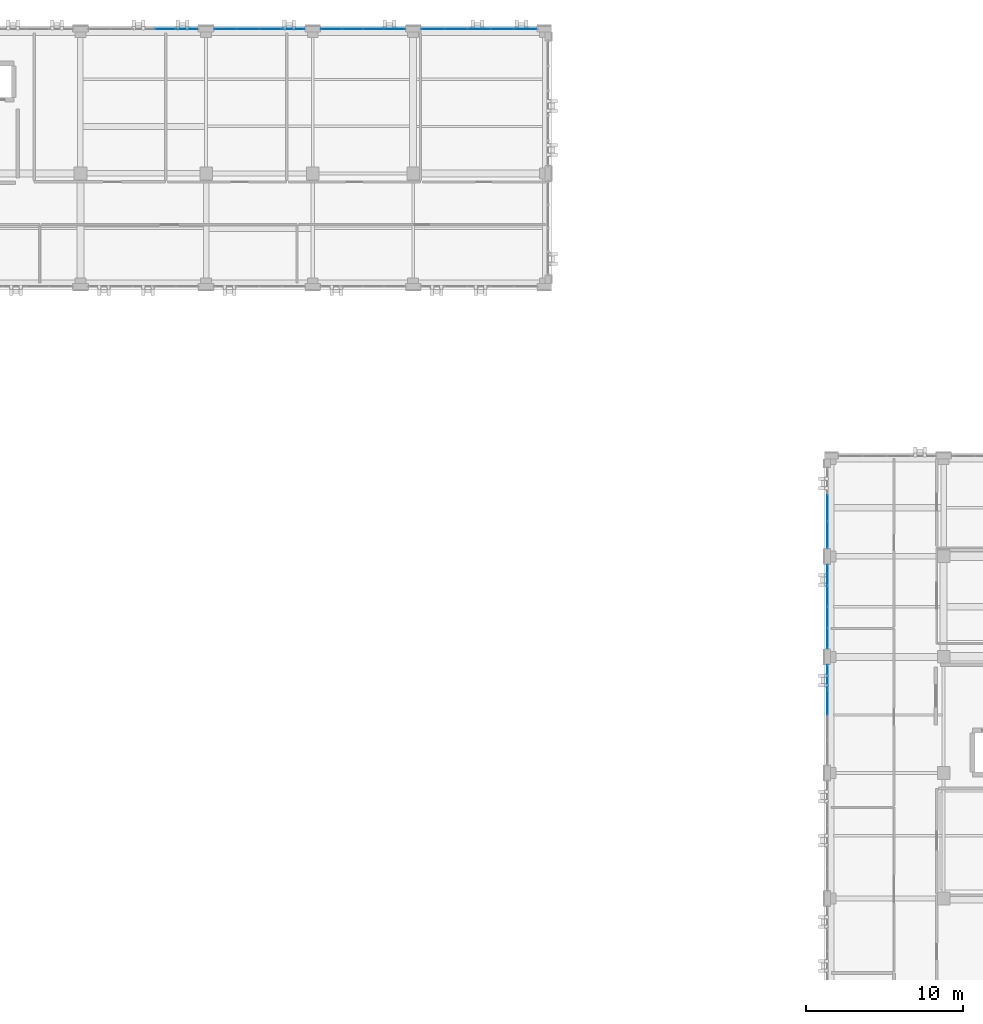
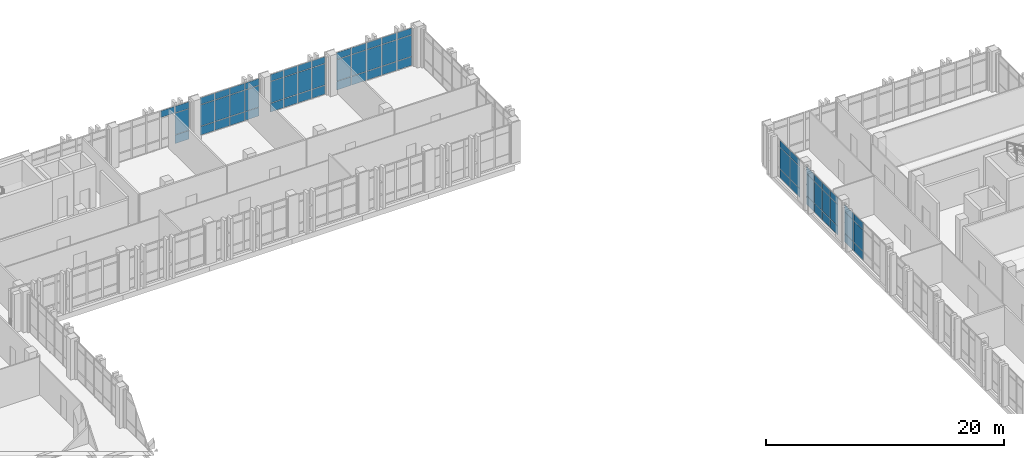
# One storey, part 125 of 158: 67 plates, 7 elements without a shape of their own.
"""IFC4 building model written with IfcOpenShell, lengths in metres."""

from ifc_helpers import new_model, si_unit, direction, frame, origin, origin_2d, place, context, subcontext, project, spatial, rectangle, extrude, material, layer, layer_set, type_object, element, aggregate, save


model = new_model("IFC4")

# Units and contexts
model_context = context("Model", 3, precision=1e-05, world=origin(), true_north=direction((0.0, 1.0)))
body_context = subcontext(model_context, "Body", "Model", "MODEL_VIEW")
ifc_project = project(units=[si_unit("LENGTHUNIT", "METRE"), si_unit("AREAUNIT", "SQUARE_METRE"), si_unit("VOLUMEUNIT", "CUBIC_METRE"), si_unit("PLANEANGLEUNIT", "RADIAN"), si_unit("MASSUNIT", "GRAM", prefix="KILO")], contexts=[model_context])

# Site, building, storey
site_placement = place(None, origin())
site = spatial("IfcSite", under=ifc_project, at=site_placement, CompositionType="ELEMENT")
building_placement = place(site_placement, origin())
building = spatial("IfcBuilding", under=site, at=building_placement, Name="Qalavern Law Courts", CompositionType="ELEMENT")
storey_placement = place(building_placement, frame((0.0, 0.0, 18.60009765625)))
storey = spatial("IfcBuildingStorey", under=building, at=storey_placement, Name="L04", CompositionType="ELEMENT", Elevation=18.60009765625)

# Curtain wall, plates
ifc_material_1 = material(Name="Anodised aluminium and insulated glazing", Category="aluminium")
ifc_layer_1 = layer(ifc_material_1, 0.159912109375)
ifc_layer_set_1 = layer_set([ifc_layer_1], Name="Anodised aluminium and insulated glazing")
curtain_wall_type_1 = type_object("IfcCurtainWallType", Name="ENV-CW-CHAMB", PredefinedType="USERDEFINED", material=ifc_layer_set_1)
curtain_wall_1_placement = place(storey_placement, origin())
curtain_wall_1 = element("IfcCurtainWall", 1, at=curtain_wall_1_placement, inside=storey, type_object=curtain_wall_type_1, Name="V4 unitised curtain wall L04 west 1", ObjectType="UNITISED CURTAIN WALL", PredefinedType="USERDEFINED")
ifc_material_2 = material(Name="Insulated low-E acoustic glazing", Category="glass")
ifc_layer_2 = layer(ifc_material_2, 0.02392578125)
ifc_layer_set_2 = layer_set([ifc_layer_2], Name="Insulated low-E acoustic glazing")
plate_type_1 = type_object("IfcPlateType", Name="ENV-CWP-24", PredefinedType="CURTAIN_PANEL", material=ifc_layer_set_2)
plate_1_placement = place(storey_placement, frame((84.39990234375, 82.277587890625, 0.0478515625), z_axis=(0.0, 0.0, 1.0), x_axis=(0.0, -1.0, 0.0)))
plate_1 = element("IfcPlate", 2, at=plate_1_placement, type_object=plate_type_1, Name="CW-04 panel 2.1", PredefinedType="CURTAIN_PANEL", context=body_context, shape_type="SweptSolid", body=[
    extrude(rectangle(XDim=1.67041015625, YDim=0.02392578125, at=origin_2d()), origin(), (0.0, 0.0, 1.0), 0.8779296875),
])
plate_2_placement = place(storey_placement, frame((84.39990234375, 82.277587890625, 0.97412109375), z_axis=(0.0, 0.0, 1.0), x_axis=(0.0, -1.0, 0.0)))
plate_2 = element("IfcPlate", 3, at=plate_2_placement, type_object=plate_type_1, Name="CW-04 panel 2.2", PredefinedType="CURTAIN_PANEL", context=body_context, shape_type="SweptSolid", body=[
    extrude(rectangle(XDim=1.67041015625, YDim=0.02392578125, at=origin_2d()), origin(), (0.0, 0.0, 1.0), 2.177001953125),
])
plate_3_placement = place(storey_placement, frame((84.39990234375, 82.277587890625, 3.19873046875), z_axis=(0.0, 0.0, 1.0), x_axis=(0.0, -1.0, 0.0)))
plate_3 = element("IfcPlate", 4, at=plate_3_placement, type_object=plate_type_1, Name="CW-04 panel 2.3", PredefinedType="CURTAIN_PANEL", context=body_context, shape_type="SweptSolid", body=[
    extrude(rectangle(XDim=1.67041015625, YDim=0.02392578125, at=origin_2d()), origin(), (0.0, 0.0, 1.0), 0.677978515625),
])
plate_4_placement = place(storey_placement, frame((84.39990234375, 80.571044921875, 0.0478515625), z_axis=(0.0, 0.0, 1.0), x_axis=(0.0, -1.0, 0.0)))
plate_4 = element("IfcPlate", 5, at=plate_4_placement, type_object=plate_type_1, Name="CW-04 panel 3.1", PredefinedType="CURTAIN_PANEL", context=body_context, shape_type="SweptSolid", body=[
    extrude(rectangle(XDim=1.646240234375, YDim=0.02392578125, at=origin_2d()), origin(), (0.0, 0.0, 1.0), 0.8779296875),
])
plate_5_placement = place(storey_placement, frame((84.39990234375, 80.571044921875, 0.97412109375), z_axis=(0.0, 0.0, 1.0), x_axis=(0.0, -1.0, 0.0)))
plate_5 = element("IfcPlate", 6, at=plate_5_placement, type_object=plate_type_1, Name="CW-04 panel 3.2", PredefinedType="CURTAIN_PANEL", context=body_context, shape_type="SweptSolid", body=[
    extrude(rectangle(XDim=1.646240234375, YDim=0.02392578125, at=origin_2d()), origin(), (0.0, 0.0, 1.0), 2.177001953125),
])
plate_6_placement = place(storey_placement, frame((84.39990234375, 80.571044921875, 3.19873046875), z_axis=(0.0, 0.0, 1.0), x_axis=(0.0, -1.0, 0.0)))
plate_6 = element("IfcPlate", 7, at=plate_6_placement, type_object=plate_type_1, Name="CW-04 panel 3.3", PredefinedType="CURTAIN_PANEL", context=body_context, shape_type="SweptSolid", body=[
    extrude(rectangle(XDim=1.646240234375, YDim=0.02392578125, at=origin_2d()), origin(), (0.0, 0.0, 1.0), 0.677978515625),
])
aggregate(curtain_wall_1, [plate_1, plate_2, plate_3, plate_4, plate_5, plate_6])

ifc_layer_3 = layer(ifc_material_1, 0.166015625)
ifc_layer_set_3 = layer_set([ifc_layer_3], Name="Anodised aluminium and insulated glazing")
curtain_wall_type_2 = type_object("IfcCurtainWallType", Name="ENV-CW-LIB", PredefinedType="USERDEFINED", material=ifc_layer_set_3)
curtain_wall_2_placement = place(storey_placement, origin())
curtain_wall_2 = element("IfcCurtainWall", 8, at=curtain_wall_2_placement, inside=storey, type_object=curtain_wall_type_2, Name="V5 unitised curtain wall L04 north 1", ObjectType="UNITISED CURTAIN WALL", PredefinedType="USERDEFINED")
plate_7_placement = place(storey_placement, frame((65.14794921875, 112.800048828125, 0.0478515625), z_axis=(0.0, 0.0, 1.0), x_axis=(-1.0, 0.0, 0.0)))
plate_7 = element("IfcPlate", 9, at=plate_7_placement, type_object=plate_type_1, Name="CW-05 panel 1.1", PredefinedType="CURTAIN_PANEL", context=body_context, shape_type="SweptSolid", body=[
    extrude(rectangle(XDim=1.407958984375, YDim=0.02392578125, at=origin_2d()), origin(), (0.0, 0.0, 1.0), 0.8779296875),
])
plate_8_placement = place(storey_placement, frame((65.14794921875, 112.800048828125, 0.97412109375), z_axis=(0.0, 0.0, 1.0), x_axis=(-1.0, 0.0, 0.0)))
plate_8 = element("IfcPlate", 10, at=plate_8_placement, type_object=plate_type_1, Name="CW-05 panel 1.2", PredefinedType="CURTAIN_PANEL", context=body_context, shape_type="SweptSolid", body=[
    extrude(rectangle(XDim=1.407958984375, YDim=0.02392578125, at=origin_2d()), origin(), (0.0, 0.0, 1.0), 2.177001953125),
])
plate_9_placement = place(storey_placement, frame((65.14794921875, 112.800048828125, 3.19873046875), z_axis=(0.0, 0.0, 1.0), x_axis=(-1.0, 0.0, 0.0)))
plate_9 = element("IfcPlate", 11, at=plate_9_placement, type_object=plate_type_1, Name="CW-05 panel 1.3", PredefinedType="CURTAIN_PANEL", context=body_context, shape_type="SweptSolid", body=[
    extrude(rectangle(XDim=1.407958984375, YDim=0.02392578125, at=origin_2d()), origin(), (0.0, 0.0, 1.0), 0.677978515625),
])
plate_10_placement = place(storey_placement, frame((63.679931640625, 112.800048828125, 0.0478515625), z_axis=(0.0, 0.0, 1.0), x_axis=(-1.0, 0.0, 0.0)))
plate_10 = element("IfcPlate", 12, at=plate_10_placement, type_object=plate_type_1, Name="CW-05 panel 2.1", PredefinedType="CURTAIN_PANEL", context=body_context, shape_type="SweptSolid", body=[
    extrude(rectangle(XDim=1.431884765625, YDim=0.02392578125, at=origin_2d()), origin(), (0.0, 0.0, 1.0), 0.8779296875),
])
plate_11_placement = place(storey_placement, frame((63.679931640625, 112.800048828125, 0.97412109375), z_axis=(0.0, 0.0, 1.0), x_axis=(-1.0, 0.0, 0.0)))
plate_11 = element("IfcPlate", 13, at=plate_11_placement, type_object=plate_type_1, Name="CW-05 panel 2.2", PredefinedType="CURTAIN_PANEL", context=body_context, shape_type="SweptSolid", body=[
    extrude(rectangle(XDim=1.431884765625, YDim=0.02392578125, at=origin_2d()), origin(), (0.0, 0.0, 1.0), 2.177001953125),
])
plate_12_placement = place(storey_placement, frame((63.679931640625, 112.800048828125, 3.19873046875), z_axis=(0.0, 0.0, 1.0), x_axis=(-1.0, 0.0, 0.0)))
plate_12 = element("IfcPlate", 14, at=plate_12_placement, type_object=plate_type_1, Name="CW-05 panel 2.3", PredefinedType="CURTAIN_PANEL", context=body_context, shape_type="SweptSolid", body=[
    extrude(rectangle(XDim=1.431884765625, YDim=0.02392578125, at=origin_2d()), origin(), (0.0, 0.0, 1.0), 0.677978515625),
])
plate_13_placement = place(storey_placement, frame((62.199951171875, 112.800048828125, 0.0478515625), z_axis=(0.0, 0.0, 1.0), x_axis=(-1.0, 0.0, 0.0)))
plate_13 = element("IfcPlate", 15, at=plate_13_placement, type_object=plate_type_1, Name="CW-05 panel 3.1", PredefinedType="CURTAIN_PANEL", context=body_context, shape_type="SweptSolid", body=[
    extrude(rectangle(XDim=1.431884765625, YDim=0.02392578125, at=origin_2d()), origin(), (0.0, 0.0, 1.0), 0.8779296875),
])
plate_14_placement = place(storey_placement, frame((62.199951171875, 112.800048828125, 0.97412109375), z_axis=(0.0, 0.0, 1.0), x_axis=(-1.0, 0.0, 0.0)))
plate_14 = element("IfcPlate", 16, at=plate_14_placement, type_object=plate_type_1, Name="CW-05 panel 3.2", PredefinedType="CURTAIN_PANEL", context=body_context, shape_type="SweptSolid", body=[
    extrude(rectangle(XDim=1.431884765625, YDim=0.02392578125, at=origin_2d()), origin(), (0.0, 0.0, 1.0), 2.177001953125),
])
plate_15_placement = place(storey_placement, frame((62.199951171875, 112.800048828125, 3.19873046875), z_axis=(0.0, 0.0, 1.0), x_axis=(-1.0, 0.0, 0.0)))
plate_15 = element("IfcPlate", 17, at=plate_15_placement, type_object=plate_type_1, Name="CW-05 panel 3.3", PredefinedType="CURTAIN_PANEL", context=body_context, shape_type="SweptSolid", body=[
    extrude(rectangle(XDim=1.431884765625, YDim=0.02392578125, at=origin_2d()), origin(), (0.0, 0.0, 1.0), 0.677978515625),
])
plate_16_placement = place(storey_placement, frame((60.719970703125, 112.800048828125, 0.0478515625), z_axis=(0.0, 0.0, 1.0), x_axis=(-1.0, 0.0, 0.0)))
plate_16 = element("IfcPlate", 18, at=plate_16_placement, type_object=plate_type_1, Name="CW-05 panel 4.1", PredefinedType="CURTAIN_PANEL", context=body_context, shape_type="SweptSolid", body=[
    extrude(rectangle(XDim=1.431884765625, YDim=0.02392578125, at=origin_2d()), origin(), (0.0, 0.0, 1.0), 0.8779296875),
])
plate_17_placement = place(storey_placement, frame((60.719970703125, 112.800048828125, 0.97412109375), z_axis=(0.0, 0.0, 1.0), x_axis=(-1.0, 0.0, 0.0)))
plate_17 = element("IfcPlate", 19, at=plate_17_placement, type_object=plate_type_1, Name="CW-05 panel 4.2", PredefinedType="CURTAIN_PANEL", context=body_context, shape_type="SweptSolid", body=[
    extrude(rectangle(XDim=1.431884765625, YDim=0.02392578125, at=origin_2d()), origin(), (0.0, 0.0, 1.0), 2.177001953125),
])
plate_18_placement = place(storey_placement, frame((60.719970703125, 112.800048828125, 3.19873046875), z_axis=(0.0, 0.0, 1.0), x_axis=(-1.0, 0.0, 0.0)))
plate_18 = element("IfcPlate", 20, at=plate_18_placement, type_object=plate_type_1, Name="CW-05 panel 4.3", PredefinedType="CURTAIN_PANEL", context=body_context, shape_type="SweptSolid", body=[
    extrude(rectangle(XDim=1.431884765625, YDim=0.02392578125, at=origin_2d()), origin(), (0.0, 0.0, 1.0), 0.677978515625),
])
plate_19_placement = place(storey_placement, frame((59.251953125, 112.800048828125, 0.0478515625), z_axis=(0.0, 0.0, 1.0), x_axis=(-1.0, 0.0, 0.0)))
plate_19 = element("IfcPlate", 21, at=plate_19_placement, type_object=plate_type_1, Name="CW-05 panel 5.1", PredefinedType="CURTAIN_PANEL", context=body_context, shape_type="SweptSolid", body=[
    extrude(rectangle(XDim=1.407958984375, YDim=0.02392578125, at=origin_2d()), origin(), (0.0, 0.0, 1.0), 0.8779296875),
])
plate_20_placement = place(storey_placement, frame((59.251953125, 112.800048828125, 0.97412109375), z_axis=(0.0, 0.0, 1.0), x_axis=(-1.0, 0.0, 0.0)))
plate_20 = element("IfcPlate", 22, at=plate_20_placement, type_object=plate_type_1, Name="CW-05 panel 5.2", PredefinedType="CURTAIN_PANEL", context=body_context, shape_type="SweptSolid", body=[
    extrude(rectangle(XDim=1.407958984375, YDim=0.02392578125, at=origin_2d()), origin(), (0.0, 0.0, 1.0), 2.177001953125),
])
plate_21_placement = place(storey_placement, frame((59.251953125, 112.800048828125, 3.19873046875), z_axis=(0.0, 0.0, 1.0), x_axis=(-1.0, 0.0, 0.0)))
plate_21 = element("IfcPlate", 23, at=plate_21_placement, type_object=plate_type_1, Name="CW-05 panel 5.3", PredefinedType="CURTAIN_PANEL", context=body_context, shape_type="SweptSolid", body=[
    extrude(rectangle(XDim=1.407958984375, YDim=0.02392578125, at=origin_2d()), origin(), (0.0, 0.0, 1.0), 0.677978515625),
])
aggregate(curtain_wall_2, [plate_7, plate_8, plate_9, plate_10, plate_11, plate_12, plate_13, plate_14, plate_15, plate_16, plate_17, plate_18, plate_19, plate_20, plate_21])

curtain_wall_3_placement = place(storey_placement, origin())
curtain_wall_3 = element("IfcCurtainWall", 24, at=curtain_wall_3_placement, inside=storey, type_object=curtain_wall_type_1, Name="V4 unitised curtain wall L04 west 2", ObjectType="UNITISED CURTAIN WALL", PredefinedType="USERDEFINED")
ifc_layer_4 = layer(ifc_material_2, 0.028076171875)
ifc_layer_set_4 = layer_set([ifc_layer_4], Name="Insulated low-E acoustic glazing")
plate_type_2 = type_object("IfcPlateType", Name="ENV-CWP-28", PredefinedType="CURTAIN_PANEL", material=ifc_layer_set_4)
plate_22_placement = place(storey_placement, frame((84.39990234375, 78.012939453125, 0.0478515625), z_axis=(0.0, 0.0, 1.0), x_axis=(0.0, -1.0, 0.0)))
plate_22 = element("IfcPlate", 25, at=plate_22_placement, type_object=plate_type_2, Name="CW-04 panel 1.1", PredefinedType="CURTAIN_PANEL", context=body_context, shape_type="SweptSolid", body=[
    extrude(rectangle(XDim=1.278076171875, YDim=0.028076171875, at=origin_2d()), origin(), (0.0, 0.0, 1.0), 0.8779296875),
])
plate_23_placement = place(storey_placement, frame((84.39990234375, 78.012939453125, 0.97412109375), z_axis=(0.0, 0.0, 1.0), x_axis=(0.0, -1.0, 0.0)))
plate_23 = element("IfcPlate", 26, at=plate_23_placement, type_object=plate_type_2, Name="CW-04 panel 1.2", PredefinedType="CURTAIN_PANEL", context=body_context, shape_type="SweptSolid", body=[
    extrude(rectangle(XDim=1.278076171875, YDim=0.028076171875, at=origin_2d()), origin(), (0.0, 0.0, 1.0), 2.177001953125),
])
plate_24_placement = place(storey_placement, frame((84.39990234375, 78.012939453125, 3.19873046875), z_axis=(0.0, 0.0, 1.0), x_axis=(0.0, -1.0, 0.0)))
plate_24 = element("IfcPlate", 27, at=plate_24_placement, type_object=plate_type_2, Name="CW-04 panel 1.3", PredefinedType="CURTAIN_PANEL", context=body_context, shape_type="SweptSolid", body=[
    extrude(rectangle(XDim=1.278076171875, YDim=0.028076171875, at=origin_2d()), origin(), (0.0, 0.0, 1.0), 0.677978515625),
])
plate_25_placement = place(storey_placement, frame((84.39990234375, 76.675048828125, 0.0478515625), z_axis=(0.0, 0.0, 1.0), x_axis=(0.0, -1.0, 0.0)))
plate_25 = element("IfcPlate", 28, at=plate_25_placement, type_object=plate_type_2, Name="CW-04 panel 2.1", PredefinedType="CURTAIN_PANEL", context=body_context, shape_type="SweptSolid", body=[
    extrude(rectangle(XDim=1.302001953125, YDim=0.028076171875, at=origin_2d()), origin(), (0.0, 0.0, 1.0), 0.8779296875),
])
plate_26_placement = place(storey_placement, frame((84.39990234375, 76.675048828125, 0.97412109375), z_axis=(0.0, 0.0, 1.0), x_axis=(0.0, -1.0, 0.0)))
plate_26 = element("IfcPlate", 29, at=plate_26_placement, type_object=plate_type_2, Name="CW-04 panel 2.2", PredefinedType="CURTAIN_PANEL", context=body_context, shape_type="SweptSolid", body=[
    extrude(rectangle(XDim=1.302001953125, YDim=0.028076171875, at=origin_2d()), origin(), (0.0, 0.0, 1.0), 2.177001953125),
])
plate_27_placement = place(storey_placement, frame((84.39990234375, 76.675048828125, 3.19873046875), z_axis=(0.0, 0.0, 1.0), x_axis=(0.0, -1.0, 0.0)))
plate_27 = element("IfcPlate", 30, at=plate_27_placement, type_object=plate_type_2, Name="CW-04 panel 2.3", PredefinedType="CURTAIN_PANEL", context=body_context, shape_type="SweptSolid", body=[
    extrude(rectangle(XDim=1.302001953125, YDim=0.028076171875, at=origin_2d()), origin(), (0.0, 0.0, 1.0), 0.677978515625),
])
plate_28_placement = place(storey_placement, frame((84.39990234375, 75.324951171875, 0.0478515625), z_axis=(0.0, 0.0, 1.0), x_axis=(0.0, -1.0, 0.0)))
plate_28 = element("IfcPlate", 31, at=plate_28_placement, type_object=plate_type_2, Name="CW-04 panel 3.1", PredefinedType="CURTAIN_PANEL", context=body_context, shape_type="SweptSolid", body=[
    extrude(rectangle(XDim=1.302001953125, YDim=0.028076171875, at=origin_2d()), origin(), (0.0, 0.0, 1.0), 0.8779296875),
])
plate_29_placement = place(storey_placement, frame((84.39990234375, 75.324951171875, 0.97412109375), z_axis=(0.0, 0.0, 1.0), x_axis=(0.0, -1.0, 0.0)))
plate_29 = element("IfcPlate", 32, at=plate_29_placement, type_object=plate_type_2, Name="CW-04 panel 3.2", PredefinedType="CURTAIN_PANEL", context=body_context, shape_type="SweptSolid", body=[
    extrude(rectangle(XDim=1.302001953125, YDim=0.028076171875, at=origin_2d()), origin(), (0.0, 0.0, 1.0), 2.177001953125),
])
plate_30_placement = place(storey_placement, frame((84.39990234375, 75.324951171875, 3.19873046875), z_axis=(0.0, 0.0, 1.0), x_axis=(0.0, -1.0, 0.0)))
plate_30 = element("IfcPlate", 33, at=plate_30_placement, type_object=plate_type_2, Name="CW-04 panel 3.3", PredefinedType="CURTAIN_PANEL", context=body_context, shape_type="SweptSolid", body=[
    extrude(rectangle(XDim=1.302001953125, YDim=0.028076171875, at=origin_2d()), origin(), (0.0, 0.0, 1.0), 0.677978515625),
])
plate_31_placement = place(storey_placement, frame((84.39990234375, 73.987060546875, 0.0478515625), z_axis=(0.0, 0.0, 1.0), x_axis=(0.0, -1.0, 0.0)))
plate_31 = element("IfcPlate", 34, at=plate_31_placement, type_object=plate_type_2, Name="CW-04 panel 4.1", PredefinedType="CURTAIN_PANEL", context=body_context, shape_type="SweptSolid", body=[
    extrude(rectangle(XDim=1.278076171875, YDim=0.028076171875, at=origin_2d()), origin(), (0.0, 0.0, 1.0), 0.8779296875),
])
plate_32_placement = place(storey_placement, frame((84.39990234375, 73.987060546875, 0.97412109375), z_axis=(0.0, 0.0, 1.0), x_axis=(0.0, -1.0, 0.0)))
plate_32 = element("IfcPlate", 35, at=plate_32_placement, type_object=plate_type_2, Name="CW-04 panel 4.2", PredefinedType="CURTAIN_PANEL", context=body_context, shape_type="SweptSolid", body=[
    extrude(rectangle(XDim=1.278076171875, YDim=0.028076171875, at=origin_2d()), origin(), (0.0, 0.0, 1.0), 2.177001953125),
])
plate_33_placement = place(storey_placement, frame((84.39990234375, 73.987060546875, 3.19873046875), z_axis=(0.0, 0.0, 1.0), x_axis=(0.0, -1.0, 0.0)))
plate_33 = element("IfcPlate", 36, at=plate_33_placement, type_object=plate_type_2, Name="CW-04 panel 4.3", PredefinedType="CURTAIN_PANEL", context=body_context, shape_type="SweptSolid", body=[
    extrude(rectangle(XDim=1.278076171875, YDim=0.028076171875, at=origin_2d()), origin(), (0.0, 0.0, 1.0), 0.677978515625),
])
aggregate(curtain_wall_3, [plate_22, plate_23, plate_24, plate_25, plate_26, plate_27, plate_28, plate_29, plate_30, plate_31, plate_32, plate_33])

curtain_wall_4_placement = place(storey_placement, origin())
curtain_wall_4 = element("IfcCurtainWall", 37, at=curtain_wall_4_placement, inside=storey, type_object=curtain_wall_type_2, Name="V5 unitised curtain wall L04 north 2", ObjectType="UNITISED CURTAIN WALL", PredefinedType="USERDEFINED")
plate_34_placement = place(storey_placement, frame((56.81298828125, 112.800048828125, 0.0478515625), z_axis=(0.0, 0.0, 1.0), x_axis=(-1.0, 0.0, 0.0)))
plate_34 = element("IfcPlate", 38, at=plate_34_placement, type_object=plate_type_2, Name="CW-05 panel 1.1", PredefinedType="CURTAIN_PANEL", context=body_context, shape_type="SweptSolid", body=[
    extrude(rectangle(XDim=1.278076171875, YDim=0.028076171875, at=origin_2d()), origin(), (0.0, 0.0, 1.0), 0.8779296875),
])
plate_35_placement = place(storey_placement, frame((56.81298828125, 112.800048828125, 0.97412109375), z_axis=(0.0, 0.0, 1.0), x_axis=(-1.0, 0.0, 0.0)))
plate_35 = element("IfcPlate", 39, at=plate_35_placement, type_object=plate_type_2, Name="CW-05 panel 1.2", PredefinedType="CURTAIN_PANEL", context=body_context, shape_type="SweptSolid", body=[
    extrude(rectangle(XDim=1.278076171875, YDim=0.028076171875, at=origin_2d()), origin(), (0.0, 0.0, 1.0), 2.177001953125),
])
plate_36_placement = place(storey_placement, frame((56.81298828125, 112.800048828125, 3.19873046875), z_axis=(0.0, 0.0, 1.0), x_axis=(-1.0, 0.0, 0.0)))
plate_36 = element("IfcPlate", 40, at=plate_36_placement, type_object=plate_type_2, Name="CW-05 panel 1.3", PredefinedType="CURTAIN_PANEL", context=body_context, shape_type="SweptSolid", body=[
    extrude(rectangle(XDim=1.278076171875, YDim=0.028076171875, at=origin_2d()), origin(), (0.0, 0.0, 1.0), 0.677978515625),
])
plate_37_placement = place(storey_placement, frame((55.47509765625, 112.800048828125, 0.0478515625), z_axis=(0.0, 0.0, 1.0), x_axis=(-1.0, 0.0, 0.0)))
plate_37 = element("IfcPlate", 41, at=plate_37_placement, type_object=plate_type_2, Name="CW-05 panel 2.1", PredefinedType="CURTAIN_PANEL", context=body_context, shape_type="SweptSolid", body=[
    extrude(rectangle(XDim=1.302001953125, YDim=0.028076171875, at=origin_2d()), origin(), (0.0, 0.0, 1.0), 0.8779296875),
])
plate_38_placement = place(storey_placement, frame((55.47509765625, 112.800048828125, 0.97412109375), z_axis=(0.0, 0.0, 1.0), x_axis=(-1.0, 0.0, 0.0)))
plate_38 = element("IfcPlate", 42, at=plate_38_placement, type_object=plate_type_2, Name="CW-05 panel 2.2", PredefinedType="CURTAIN_PANEL", context=body_context, shape_type="SweptSolid", body=[
    extrude(rectangle(XDim=1.302001953125, YDim=0.028076171875, at=origin_2d()), origin(), (0.0, 0.0, 1.0), 2.177001953125),
])
plate_39_placement = place(storey_placement, frame((55.47509765625, 112.800048828125, 3.19873046875), z_axis=(0.0, 0.0, 1.0), x_axis=(-1.0, 0.0, 0.0)))
plate_39 = element("IfcPlate", 43, at=plate_39_placement, type_object=plate_type_2, Name="CW-05 panel 2.3", PredefinedType="CURTAIN_PANEL", context=body_context, shape_type="SweptSolid", body=[
    extrude(rectangle(XDim=1.302001953125, YDim=0.028076171875, at=origin_2d()), origin(), (0.0, 0.0, 1.0), 0.677978515625),
])
plate_40_placement = place(storey_placement, frame((54.125, 112.800048828125, 0.0478515625), z_axis=(0.0, 0.0, 1.0), x_axis=(-1.0, 0.0, 0.0)))
plate_40 = element("IfcPlate", 44, at=plate_40_placement, type_object=plate_type_2, Name="CW-05 panel 3.1", PredefinedType="CURTAIN_PANEL", context=body_context, shape_type="SweptSolid", body=[
    extrude(rectangle(XDim=1.302001953125, YDim=0.028076171875, at=origin_2d()), origin(), (0.0, 0.0, 1.0), 0.8779296875),
])
plate_41_placement = place(storey_placement, frame((54.125, 112.800048828125, 0.97412109375), z_axis=(0.0, 0.0, 1.0), x_axis=(-1.0, 0.0, 0.0)))
plate_41 = element("IfcPlate", 45, at=plate_41_placement, type_object=plate_type_2, Name="CW-05 panel 3.2", PredefinedType="CURTAIN_PANEL", context=body_context, shape_type="SweptSolid", body=[
    extrude(rectangle(XDim=1.302001953125, YDim=0.028076171875, at=origin_2d()), origin(), (0.0, 0.0, 1.0), 2.177001953125),
])
plate_42_placement = place(storey_placement, frame((54.125, 112.800048828125, 3.19873046875), z_axis=(0.0, 0.0, 1.0), x_axis=(-1.0, 0.0, 0.0)))
plate_42 = element("IfcPlate", 46, at=plate_42_placement, type_object=plate_type_2, Name="CW-05 panel 3.3", PredefinedType="CURTAIN_PANEL", context=body_context, shape_type="SweptSolid", body=[
    extrude(rectangle(XDim=1.302001953125, YDim=0.028076171875, at=origin_2d()), origin(), (0.0, 0.0, 1.0), 0.677978515625),
])
plate_43_placement = place(storey_placement, frame((52.787109375, 112.800048828125, 0.0478515625), z_axis=(0.0, 0.0, 1.0), x_axis=(-1.0, 0.0, 0.0)))
plate_43 = element("IfcPlate", 47, at=plate_43_placement, type_object=plate_type_2, Name="CW-05 panel 4.1", PredefinedType="CURTAIN_PANEL", context=body_context, shape_type="SweptSolid", body=[
    extrude(rectangle(XDim=1.278076171875, YDim=0.028076171875, at=origin_2d()), origin(), (0.0, 0.0, 1.0), 0.8779296875),
])
plate_44_placement = place(storey_placement, frame((52.787109375, 112.800048828125, 0.97412109375), z_axis=(0.0, 0.0, 1.0), x_axis=(-1.0, 0.0, 0.0)))
plate_44 = element("IfcPlate", 48, at=plate_44_placement, type_object=plate_type_2, Name="CW-05 panel 4.2", PredefinedType="CURTAIN_PANEL", context=body_context, shape_type="SweptSolid", body=[
    extrude(rectangle(XDim=1.278076171875, YDim=0.028076171875, at=origin_2d()), origin(), (0.0, 0.0, 1.0), 2.177001953125),
])
plate_45_placement = place(storey_placement, frame((52.787109375, 112.800048828125, 3.19873046875), z_axis=(0.0, 0.0, 1.0), x_axis=(-1.0, 0.0, 0.0)))
plate_45 = element("IfcPlate", 49, at=plate_45_placement, type_object=plate_type_2, Name="CW-05 panel 4.3", PredefinedType="CURTAIN_PANEL", context=body_context, shape_type="SweptSolid", body=[
    extrude(rectangle(XDim=1.278076171875, YDim=0.028076171875, at=origin_2d()), origin(), (0.0, 0.0, 1.0), 0.677978515625),
])
aggregate(curtain_wall_4, [plate_34, plate_35, plate_36, plate_37, plate_38, plate_39, plate_40, plate_41, plate_42, plate_43, plate_44, plate_45])

curtain_wall_5_placement = place(storey_placement, origin())
curtain_wall_5 = element("IfcCurtainWall", 50, at=curtain_wall_5_placement, inside=storey, type_object=curtain_wall_type_1, Name="V4 unitised curtain wall L04 west 3", ObjectType="UNITISED CURTAIN WALL", PredefinedType="USERDEFINED")
ifc_layer_5 = layer(ifc_material_2, 0.031982421875)
ifc_layer_set_5 = layer_set([ifc_layer_5], Name="Insulated low-E acoustic glazing")
plate_type_3 = type_object("IfcPlateType", Name="ENV-CWP-32", PredefinedType="CURTAIN_PANEL", material=ifc_layer_set_5)
plate_46_placement = place(storey_placement, frame((84.39990234375, 71.488037109375, 0.0478515625), z_axis=(0.0, 0.0, 1.0), x_axis=(0.0, -1.0, 0.0)))
plate_46 = element("IfcPlate", 51, at=plate_46_placement, type_object=plate_type_3, Name="CW-04 panel 1.1", PredefinedType="CURTAIN_PANEL", context=body_context, shape_type="SweptSolid", body=[
    extrude(rectangle(XDim=1.528076171875, YDim=0.031982421875, at=origin_2d()), origin(), (0.0, 0.0, 1.0), 0.8779296875),
])
plate_47_placement = place(storey_placement, frame((84.39990234375, 71.488037109375, 0.97412109375), z_axis=(0.0, 0.0, 1.0), x_axis=(0.0, -1.0, 0.0)))
plate_47 = element("IfcPlate", 52, at=plate_47_placement, type_object=plate_type_3, Name="CW-04 panel 1.2", PredefinedType="CURTAIN_PANEL", context=body_context, shape_type="SweptSolid", body=[
    extrude(rectangle(XDim=1.528076171875, YDim=0.031982421875, at=origin_2d()), origin(), (0.0, 0.0, 1.0), 2.177001953125),
])
plate_48_placement = place(storey_placement, frame((84.39990234375, 71.488037109375, 3.19873046875), z_axis=(0.0, 0.0, 1.0), x_axis=(0.0, -1.0, 0.0)))
plate_48 = element("IfcPlate", 53, at=plate_48_placement, type_object=plate_type_3, Name="CW-04 panel 1.3", PredefinedType="CURTAIN_PANEL", context=body_context, shape_type="SweptSolid", body=[
    extrude(rectangle(XDim=1.528076171875, YDim=0.031982421875, at=origin_2d()), origin(), (0.0, 0.0, 1.0), 0.677978515625),
])
plate_49_placement = place(storey_placement, frame((84.39990234375, 69.89990234375, 0.0478515625), z_axis=(0.0, 0.0, 1.0), x_axis=(0.0, -1.0, 0.0)))
plate_49 = element("IfcPlate", 54, at=plate_49_placement, type_object=plate_type_3, Name="CW-04 panel 2.1", PredefinedType="CURTAIN_PANEL", context=body_context, shape_type="SweptSolid", body=[
    extrude(rectangle(XDim=1.552001953125, YDim=0.031982421875, at=origin_2d()), origin(), (0.0, 0.0, 1.0), 0.8779296875),
])
plate_50_placement = place(storey_placement, frame((84.39990234375, 69.89990234375, 0.97412109375), z_axis=(0.0, 0.0, 1.0), x_axis=(0.0, -1.0, 0.0)))
plate_50 = element("IfcPlate", 55, at=plate_50_placement, type_object=plate_type_3, Name="CW-04 panel 2.2", PredefinedType="CURTAIN_PANEL", context=body_context, shape_type="SweptSolid", body=[
    extrude(rectangle(XDim=1.552001953125, YDim=0.031982421875, at=origin_2d()), origin(), (0.0, 0.0, 1.0), 2.177001953125),
])
plate_51_placement = place(storey_placement, frame((84.39990234375, 69.89990234375, 3.19873046875), z_axis=(0.0, 0.0, 1.0), x_axis=(0.0, -1.0, 0.0)))
plate_51 = element("IfcPlate", 56, at=plate_51_placement, type_object=plate_type_3, Name="CW-04 panel 2.3", PredefinedType="CURTAIN_PANEL", context=body_context, shape_type="SweptSolid", body=[
    extrude(rectangle(XDim=1.552001953125, YDim=0.031982421875, at=origin_2d()), origin(), (0.0, 0.0, 1.0), 0.677978515625),
])
aggregate(curtain_wall_5, [plate_46, plate_47, plate_48, plate_49, plate_50, plate_51])

curtain_wall_6_placement = place(storey_placement, origin())
curtain_wall_6 = element("IfcCurtainWall", 57, at=curtain_wall_6_placement, inside=storey, type_object=curtain_wall_type_2, Name="V5 unitised curtain wall L04 north 3", ObjectType="UNITISED CURTAIN WALL", PredefinedType="USERDEFINED")
plate_52_placement = place(storey_placement, frame((50.363037109375, 112.800048828125, 0.0478515625), z_axis=(0.0, 0.0, 1.0), x_axis=(-1.0, 0.0, 0.0)))
plate_52 = element("IfcPlate", 58, at=plate_52_placement, type_object=plate_type_3, Name="CW-05 panel 1.1", PredefinedType="CURTAIN_PANEL", context=body_context, shape_type="SweptSolid", body=[
    extrude(rectangle(XDim=1.3779296875, YDim=0.031982421875, at=origin_2d()), origin(), (0.0, 0.0, 1.0), 0.8779296875),
])
plate_53_placement = place(storey_placement, frame((50.363037109375, 112.800048828125, 0.97412109375), z_axis=(0.0, 0.0, 1.0), x_axis=(-1.0, 0.0, 0.0)))
plate_53 = element("IfcPlate", 59, at=plate_53_placement, type_object=plate_type_3, Name="CW-05 panel 1.2", PredefinedType="CURTAIN_PANEL", context=body_context, shape_type="SweptSolid", body=[
    extrude(rectangle(XDim=1.3779296875, YDim=0.031982421875, at=origin_2d()), origin(), (0.0, 0.0, 1.0), 2.177001953125),
])
plate_54_placement = place(storey_placement, frame((50.363037109375, 112.800048828125, 3.19873046875), z_axis=(0.0, 0.0, 1.0), x_axis=(-1.0, 0.0, 0.0)))
plate_54 = element("IfcPlate", 60, at=plate_54_placement, type_object=plate_type_3, Name="CW-05 panel 1.3", PredefinedType="CURTAIN_PANEL", context=body_context, shape_type="SweptSolid", body=[
    extrude(rectangle(XDim=1.3779296875, YDim=0.031982421875, at=origin_2d()), origin(), (0.0, 0.0, 1.0), 0.677978515625),
])
plate_55_placement = place(storey_placement, frame((48.925048828125, 112.800048828125, 0.0478515625), z_axis=(0.0, 0.0, 1.0), x_axis=(-1.0, 0.0, 0.0)))
plate_55 = element("IfcPlate", 61, at=plate_55_placement, type_object=plate_type_3, Name="CW-05 panel 2.1", PredefinedType="CURTAIN_PANEL", context=body_context, shape_type="SweptSolid", body=[
    extrude(rectangle(XDim=1.402099609375, YDim=0.031982421875, at=origin_2d()), origin(), (0.0, 0.0, 1.0), 0.8779296875),
])
plate_56_placement = place(storey_placement, frame((48.925048828125, 112.800048828125, 0.97412109375), z_axis=(0.0, 0.0, 1.0), x_axis=(-1.0, 0.0, 0.0)))
plate_56 = element("IfcPlate", 62, at=plate_56_placement, type_object=plate_type_3, Name="CW-05 panel 2.2", PredefinedType="CURTAIN_PANEL", context=body_context, shape_type="SweptSolid", body=[
    extrude(rectangle(XDim=1.402099609375, YDim=0.031982421875, at=origin_2d()), origin(), (0.0, 0.0, 1.0), 2.177001953125),
])
plate_57_placement = place(storey_placement, frame((48.925048828125, 112.800048828125, 3.19873046875), z_axis=(0.0, 0.0, 1.0), x_axis=(-1.0, 0.0, 0.0)))
plate_57 = element("IfcPlate", 63, at=plate_57_placement, type_object=plate_type_3, Name="CW-05 panel 2.3", PredefinedType="CURTAIN_PANEL", context=body_context, shape_type="SweptSolid", body=[
    extrude(rectangle(XDim=1.402099609375, YDim=0.031982421875, at=origin_2d()), origin(), (0.0, 0.0, 1.0), 0.677978515625),
])
plate_58_placement = place(storey_placement, frame((47.47509765625, 112.800048828125, 0.0478515625), z_axis=(0.0, 0.0, 1.0), x_axis=(-1.0, 0.0, 0.0)))
plate_58 = element("IfcPlate", 64, at=plate_58_placement, type_object=plate_type_3, Name="CW-05 panel 3.1", PredefinedType="CURTAIN_PANEL", context=body_context, shape_type="SweptSolid", body=[
    extrude(rectangle(XDim=1.402099609375, YDim=0.031982421875, at=origin_2d()), origin(), (0.0, 0.0, 1.0), 0.8779296875),
])
plate_59_placement = place(storey_placement, frame((47.47509765625, 112.800048828125, 0.97412109375), z_axis=(0.0, 0.0, 1.0), x_axis=(-1.0, 0.0, 0.0)))
plate_59 = element("IfcPlate", 65, at=plate_59_placement, type_object=plate_type_3, Name="CW-05 panel 3.2", PredefinedType="CURTAIN_PANEL", context=body_context, shape_type="SweptSolid", body=[
    extrude(rectangle(XDim=1.402099609375, YDim=0.031982421875, at=origin_2d()), origin(), (0.0, 0.0, 1.0), 2.177001953125),
])
plate_60_placement = place(storey_placement, frame((47.47509765625, 112.800048828125, 3.19873046875), z_axis=(0.0, 0.0, 1.0), x_axis=(-1.0, 0.0, 0.0)))
plate_60 = element("IfcPlate", 66, at=plate_60_placement, type_object=plate_type_3, Name="CW-05 panel 3.3", PredefinedType="CURTAIN_PANEL", context=body_context, shape_type="SweptSolid", body=[
    extrude(rectangle(XDim=1.402099609375, YDim=0.031982421875, at=origin_2d()), origin(), (0.0, 0.0, 1.0), 0.677978515625),
])
plate_61_placement = place(storey_placement, frame((46.037109375, 112.800048828125, 0.0478515625), z_axis=(0.0, 0.0, 1.0), x_axis=(-1.0, 0.0, 0.0)))
plate_61 = element("IfcPlate", 67, at=plate_61_placement, type_object=plate_type_3, Name="CW-05 panel 4.1", PredefinedType="CURTAIN_PANEL", context=body_context, shape_type="SweptSolid", body=[
    extrude(rectangle(XDim=1.3779296875, YDim=0.031982421875, at=origin_2d()), origin(), (0.0, 0.0, 1.0), 0.8779296875),
])
plate_62_placement = place(storey_placement, frame((46.037109375, 112.800048828125, 0.97412109375), z_axis=(0.0, 0.0, 1.0), x_axis=(-1.0, 0.0, 0.0)))
plate_62 = element("IfcPlate", 68, at=plate_62_placement, type_object=plate_type_3, Name="CW-05 panel 4.2", PredefinedType="CURTAIN_PANEL", context=body_context, shape_type="SweptSolid", body=[
    extrude(rectangle(XDim=1.3779296875, YDim=0.031982421875, at=origin_2d()), origin(), (0.0, 0.0, 1.0), 2.177001953125),
])
plate_63_placement = place(storey_placement, frame((46.037109375, 112.800048828125, 3.19873046875), z_axis=(0.0, 0.0, 1.0), x_axis=(-1.0, 0.0, 0.0)))
plate_63 = element("IfcPlate", 69, at=plate_63_placement, type_object=plate_type_3, Name="CW-05 panel 4.3", PredefinedType="CURTAIN_PANEL", context=body_context, shape_type="SweptSolid", body=[
    extrude(rectangle(XDim=1.3779296875, YDim=0.031982421875, at=origin_2d()), origin(), (0.0, 0.0, 1.0), 0.677978515625),
])
aggregate(curtain_wall_6, [plate_52, plate_53, plate_54, plate_55, plate_56, plate_57, plate_58, plate_59, plate_60, plate_61, plate_62, plate_63])

curtain_wall_7_placement = place(storey_placement, origin())
curtain_wall_7 = element("IfcCurtainWall", 70, at=curtain_wall_7_placement, inside=storey, type_object=curtain_wall_type_2, Name="V5 unitised curtain wall L04 north 4", ObjectType="UNITISED CURTAIN WALL", PredefinedType="USERDEFINED")
ifc_layer_6 = layer(ifc_material_2, 0.035888671875)
ifc_layer_set_6 = layer_set([ifc_layer_6], Name="Insulated low-E acoustic glazing")
plate_type_4 = type_object("IfcPlateType", Name="ENV-CWP-36", PredefinedType="CURTAIN_PANEL", material=ifc_layer_set_6)
plate_64_placement = place(storey_placement, frame((43.587890625, 112.800048828125, 0.0478515625), z_axis=(0.0, 0.0, 1.0), x_axis=(-1.0, 0.0, 0.0)))
plate_64 = element("IfcPlate", 71, at=plate_64_placement, type_object=plate_type_4, Name="CW-05 panel 1.1", PredefinedType="CURTAIN_PANEL", context=body_context, shape_type="SweptSolid", body=[
    extrude(rectangle(XDim=1.327880859375, YDim=0.035888671875, at=origin_2d()), origin(), (0.0, 0.0, 1.0), 0.8779296875),
])
plate_65_placement = place(storey_placement, frame((43.587890625, 112.800048828125, 0.97412109375), z_axis=(0.0, 0.0, 1.0), x_axis=(-1.0, 0.0, 0.0)))
plate_65 = element("IfcPlate", 72, at=plate_65_placement, type_object=plate_type_4, Name="CW-05 panel 1.2", PredefinedType="CURTAIN_PANEL", context=body_context, shape_type="SweptSolid", body=[
    extrude(rectangle(XDim=1.327880859375, YDim=0.035888671875, at=origin_2d()), origin(), (0.0, 0.0, 1.0), 2.177001953125),
])
plate_66_placement = place(storey_placement, frame((43.587890625, 112.800048828125, 3.19873046875), z_axis=(0.0, 0.0, 1.0), x_axis=(-1.0, 0.0, 0.0)))
plate_66 = element("IfcPlate", 73, at=plate_66_placement, type_object=plate_type_4, Name="CW-05 panel 1.3", PredefinedType="CURTAIN_PANEL", context=body_context, shape_type="SweptSolid", body=[
    extrude(rectangle(XDim=1.327880859375, YDim=0.035888671875, at=origin_2d()), origin(), (0.0, 0.0, 1.0), 0.677978515625),
])
plate_67_placement = place(storey_placement, frame((42.199951171875, 112.800048828125, 3.19873046875), z_axis=(0.0, 0.0, 1.0), x_axis=(-1.0, 0.0, 0.0)))
plate_67 = element("IfcPlate", 74, at=plate_67_placement, type_object=plate_type_4, Name="CW-05 panel 2.3", PredefinedType="CURTAIN_PANEL", context=body_context, shape_type="SweptSolid", body=[
    extrude(rectangle(XDim=1.35205078125, YDim=0.035888671875, at=origin_2d()), origin(), (0.0, 0.0, 1.0), 0.677978515625),
])
aggregate(curtain_wall_7, [plate_64, plate_65, plate_66, plate_67])

save(model, "model.ifc")
